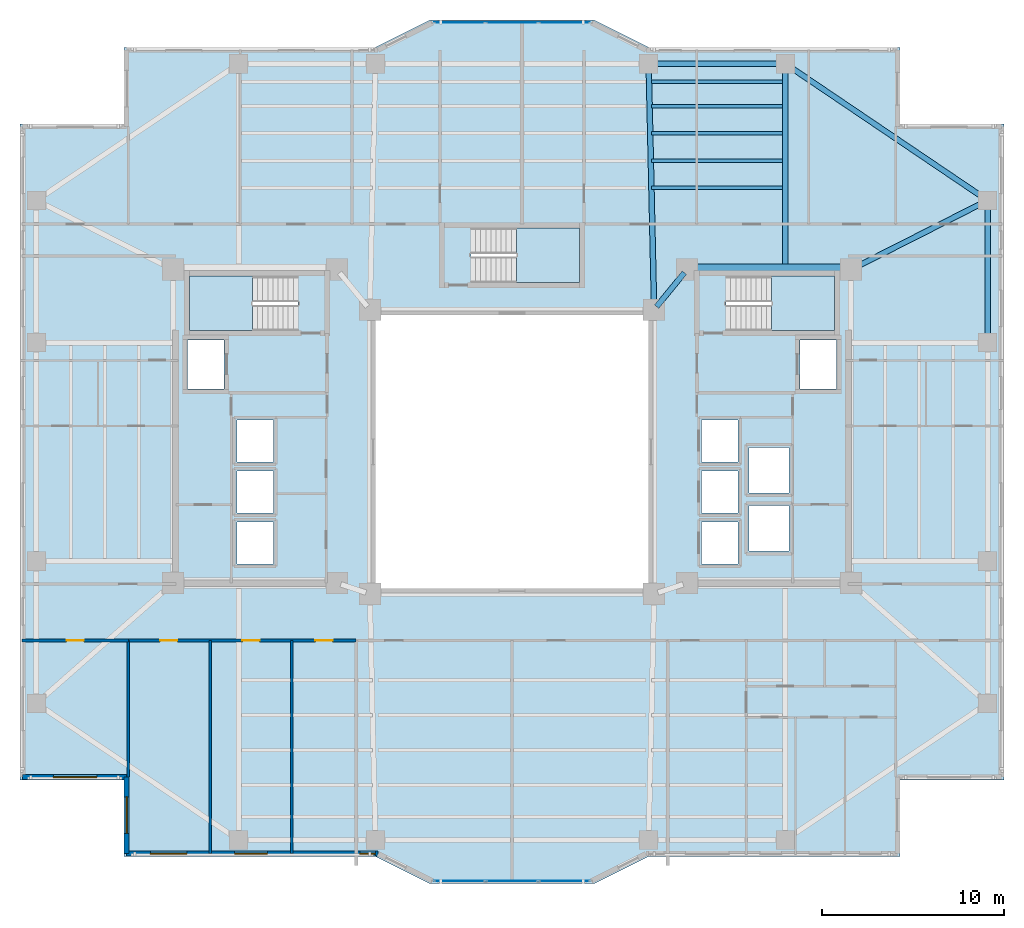
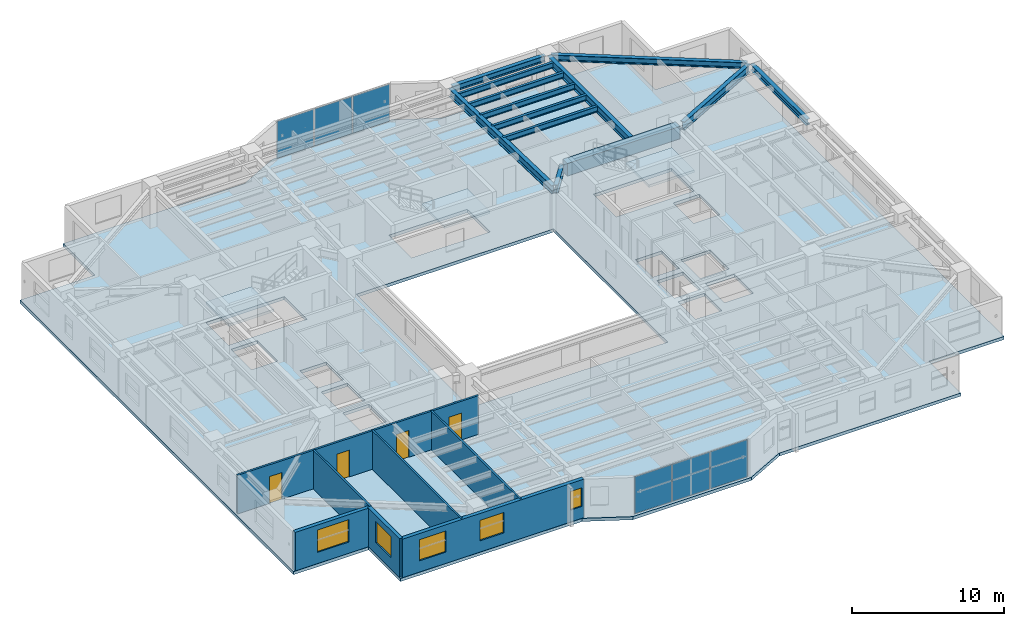
# One storey, part 5 of 18: 13 beams, 8 walls, 6 plates, 5 windows, 4 doors, 4 slabs, 9 openings, 5 elements without a shape of their own.
"""IFC4 building model written with IfcOpenShell, lengths in metres."""

from ifc_helpers import new_model, si_unit, direction, frame, frame_2d, origin, origin_2d, place, context, subcontext, project, spatial, polyline, rectangle, i_section, outline, extrude, material, layer, layer_set, material_profile, profile_set, type_object, element, fill, aggregate, save


model = new_model("IFC4")

# Units and contexts
model_context = context("Model", 3, precision=1e-05, world=origin(), true_north=direction((0.0, 1.0)))
body_context = subcontext(model_context, "Body", "Model", "MODEL_VIEW")
ifc_project = project(units=[si_unit("LENGTHUNIT", "METRE"), si_unit("AREAUNIT", "SQUARE_METRE"), si_unit("VOLUMEUNIT", "CUBIC_METRE"), si_unit("PLANEANGLEUNIT", "RADIAN"), si_unit("MASSUNIT", "GRAM", prefix="KILO")], contexts=[model_context])

# Site, building, storey
site_placement = place(None, origin())
site = spatial("IfcSite", under=ifc_project, at=site_placement, CompositionType="ELEMENT")
building_placement = place(site_placement, origin())
building = spatial("IfcBuilding", under=site, at=building_placement, Name="Tarnavaz Court Tower", CompositionType="ELEMENT")
storey_placement = place(building_placement, frame((0.0, 0.0, 105.10009765625)))
storey = spatial("IfcBuildingStorey", under=building, at=storey_placement, Name="L28", CompositionType="ELEMENT", Elevation=105.10009765625)

# Beams
ifc_material_1 = material(Name="Concrete C60/75", Category="concrete")
ifc_material_profile_1 = material_profile(ifc_material_1, rectangle(XDim=0.60009765625, YDim=1.0, at=origin_2d()), Name="RC 600X1000")
ifc_profile_set_1 = profile_set([ifc_material_profile_1], Name="Concrete C60/75")
beam_type_1 = type_object("IfcBeamType", Name="BM-CB1000", PredefinedType="LINTEL", material=ifc_profile_set_1)
beam_1_placement = place(storey_placement, frame((18.3798828125, 10.0, 2.599853515625), z_axis=(-1.0, 0.0, 0.0), x_axis=(0.0, -1.0, 0.0)))
element("IfcBeam", 1, at=beam_1_placement, inside=storey, type_object=beam_type_1, Name="L28 Beam IN-CE-NO-CE-NI", PredefinedType="LINTEL", context=body_context, shape_type="SweptSolid", body=[
    extrude(rectangle(XDim=0.60009765625, YDim=1.0, at=origin_2d()), origin(), (0.0, 0.0, 1.0), 8.559814453125),
])
ifc_material_2 = material(Name="Steel S355", Category="steel")
ifc_material_profile_2 = material_profile(ifc_material_2, i_section(OverallWidth=0.300048828125, OverallDepth=0.64990234375, WebThickness=0.01611328125, FlangeThickness=0.031005859375, FilletRadius=0.027099609375, at=origin_2d()), Name="HEB 650")
ifc_profile_set_2 = profile_set([ifc_material_profile_2], Name="Steel S355")
beam_type_2 = type_object("IfcBeamType", Name="BM-G-HEB650", PredefinedType="USERDEFINED", material=ifc_profile_set_2)
beam_2_placement = place(storey_placement, frame((9.460693359375, 9.82958984375, 2.77490234375), z_axis=(-0.633282058357, -0.773921077735, 0.0), x_axis=(0.773921077735, -0.633282058357, 0.0)))
element("IfcBeam", 2, at=beam_2_placement, inside=storey, type_object=beam_type_2, Name="L28 Beam IN-CE-NI-IW-NE", ObjectType="GIRDER", PredefinedType="USERDEFINED", context=body_context, shape_type="SweptSolid", body=[
    extrude(i_section(OverallWidth=0.300048828125, OverallDepth=0.64990234375, WebThickness=0.01611328125, FlangeThickness=0.031005859375, FilletRadius=0.027099609375, at=origin_2d()), origin(), (0.0, 0.0, 1.0), 2.402587890625),
])
beam_3_placement = place(storey_placement, frame((7.795166015625, 8.02001953125, 2.77490234375), z_axis=(-0.022221303469, 0.99975307635, 0.0), x_axis=(-0.99975307635, -0.022221303469, 0.0)))
element("IfcBeam", 3, at=beam_3_placement, inside=storey, type_object=beam_type_2, Name="L28 Beam RG-03", ObjectType="GIRDER", PredefinedType="USERDEFINED", context=body_context, shape_type="SweptSolid", body=[
    extrude(i_section(OverallWidth=0.300048828125, OverallDepth=0.64990234375, WebThickness=0.01611328125, FlangeThickness=0.031005859375, FilletRadius=0.027099609375, at=origin_2d()), origin(), (0.0, 0.0, 1.0), 13.063232421875),
])
beam_4_placement = place(storey_placement, frame((15.0, 10.0400390625, 2.77490234375), z_axis=(0.0, 1.0, 0.0), x_axis=(-1.0, 0.0, 0.0)))
element("IfcBeam", 4, at=beam_4_placement, inside=storey, type_object=beam_type_2, Name="L28 Beam RG-04", ObjectType="GIRDER", PredefinedType="USERDEFINED", context=body_context, shape_type="SweptSolid", body=[
    extrude(i_section(OverallWidth=0.300048828125, OverallDepth=0.64990234375, WebThickness=0.01611328125, FlangeThickness=0.031005859375, FilletRadius=0.027099609375, at=origin_2d()), origin(), (0.0, 0.0, 1.0), 11.0400390625),
])
beam_5_placement = place(storey_placement, frame((18.796142578125, 10.099365234375, 2.77490234375), z_axis=(0.892030669981, 0.451974870776, 0.0), x_axis=(-0.451974870776, 0.892030669981, 0.0)))
element("IfcBeam", 5, at=beam_5_placement, inside=storey, type_object=beam_type_2, Name="L28 Beam RG-12", ObjectType="GIRDER", PredefinedType="USERDEFINED", context=body_context, shape_type="SweptSolid", body=[
    extrude(i_section(OverallWidth=0.300048828125, OverallDepth=0.64990234375, WebThickness=0.01611328125, FlangeThickness=0.031005859375, FilletRadius=0.027099609375, at=origin_2d()), origin(), (0.0, 0.0, 1.0), 7.968017578125),
])
ifc_material_profile_3 = material_profile(ifc_material_2, i_section(OverallWidth=0.18994140625, OverallDepth=0.449951171875, WebThickness=0.009521484375, FlangeThickness=0.0146484375, FilletRadius=0.02099609375, at=origin_2d()), Name="IPE 450")
ifc_profile_set_3 = profile_set([ifc_material_profile_3], Name="Steel S355")
beam_type_3 = type_object("IfcBeamType", Name="BM-J-IPE450", PredefinedType="JOIST", material=ifc_profile_set_3)
for number, where, z_axis, x_axis, name in (
    (6, (7.64990234375, 14.493896484375, 2.875), (1.0, 0.0, 0.0), (0.0, 1.0, 0.0), "L28 Beam JN1-3"),
    (7, (7.64990234375, 15.988037109375, 2.875), (1.0, 0.0, 0.0), (0.0, 1.0, 0.0), "L28 Beam JN2-3"),
    (8, (7.64990234375, 17.48193359375, 2.875), (1.0, 0.0, 0.0), (0.0, 1.0, 0.0), "L28 Beam JN3-3"),
    (9, (7.64990234375, 18.97607421875, 2.875), (1.0, 0.0, 0.0), (0.0, 1.0, 0.0), "L28 Beam JN4-3"),
    (10, (7.64990234375, 20.303955078125, 2.875), (1.0, 0.0, 0.0), (0.0, 1.0, 0.0), "L28 Beam JN5-3"),
):
    element("IfcBeam", number, at=place(storey_placement, frame(where, z_axis=z_axis, x_axis=x_axis)), inside=storey, type_object=beam_type_3, Name=name, PredefinedType="JOIST", context=body_context, shape_type="SweptSolid", body=[
        extrude(i_section(OverallWidth=0.18994140625, OverallDepth=0.449951171875, WebThickness=0.009521484375, FlangeThickness=0.0146484375, FilletRadius=0.02099609375, at=origin_2d()), origin(), (0.0, 0.0, 1.0), 7.2001953125),
    ])
ifc_material_profile_4 = material_profile(ifc_material_2, i_section(OverallWidth=0.300048828125, OverallDepth=0.489990234375, WebThickness=0.011962890625, FlangeThickness=0.02294921875, FilletRadius=0.027099609375, at=origin_2d()), Name="HEA 500")
ifc_profile_set_4 = profile_set([ifc_material_profile_4], Name="Steel S355")
beam_type_4 = type_object("IfcBeamType", Name="BM-SP-HEA500", PredefinedType="SPANDREL", material=ifc_profile_set_4)
beam_6_placement = place(storey_placement, frame((7.719970703125, 21.300048828125, 2.85498046875), z_axis=(1.0, 0.0, 0.0), x_axis=(0.0, 1.0, 0.0)))
element("IfcBeam", 11, at=beam_6_placement, inside=storey, type_object=beam_type_4, Name="L28 Beam PR-PN-3-PN-4", PredefinedType="SPANDREL", context=body_context, shape_type="SweptSolid", body=[
    extrude(i_section(OverallWidth=0.300048828125, OverallDepth=0.489990234375, WebThickness=0.011962890625, FlangeThickness=0.02294921875, FilletRadius=0.027099609375, at=origin_2d()), origin(), (0.0, 0.0, 1.0), 7.06005859375),
])
beam_7_placement = place(storey_placement, frame((26.10009765625, 6.219970703125, 2.85498046875), z_axis=(0.0, 1.0, 0.0), x_axis=(-1.0, 0.0, 0.0)))
element("IfcBeam", 12, at=beam_7_placement, inside=storey, type_object=beam_type_4, Name="L28 Beam PR-PE-3-PE-4", PredefinedType="SPANDREL", context=body_context, shape_type="SweptSolid", body=[
    extrude(i_section(OverallWidth=0.300048828125, OverallDepth=0.489990234375, WebThickness=0.011962890625, FlangeThickness=0.02294921875, FilletRadius=0.027099609375, at=origin_2d()), origin(), (0.0, 0.0, 1.0), 7.360107421875),
])
beam_8_placement = place(storey_placement, frame((15.182373046875, 21.1767578125, 2.85498046875), z_axis=(0.828587314918, -0.559859858854, 0.0), x_axis=(0.559859858854, 0.828587314918, 0.0)))
element("IfcBeam", 13, at=beam_8_placement, inside=storey, type_object=beam_type_4, Name="L28 Beam PR-PN-4-PE-4", PredefinedType="SPANDREL", context=body_context, shape_type="SweptSolid", body=[
    extrude(i_section(OverallWidth=0.300048828125, OverallDepth=0.489990234375, WebThickness=0.011962890625, FlangeThickness=0.02294921875, FilletRadius=0.027099609375, at=origin_2d()), origin(), (0.0, 0.0, 1.0), 12.956298828125),
])

# Curtain wall, plates
ifc_material_3 = material(Name="Anodised Aluminium 6063-T6 and Solar Low-E Glazing", Category="aluminium")
ifc_layer_1 = layer(ifc_material_3, 0.179931640625)
ifc_layer_set_1 = layer_set([ifc_layer_1], Name="Anodised Aluminium 6063-T6 and Solar Low-E Glazing")
curtain_wall_type = type_object("IfcCurtainWallType", Name="CW-SYS-02", PredefinedType="NOTDEFINED", material=ifc_layer_set_1)
curtain_wall_1_placement = place(storey_placement, origin())
curtain_wall_1 = element("IfcCurtainWall", 14, at=curtain_wall_1_placement, inside=storey, type_object=curtain_wall_type, Name="L28 Iwan Prow Curtain Wall 7", PredefinedType="NOTDEFINED")
ifc_material_4 = material(Name="Double-Glazed Solar Low-E Glass", Category="glass")
ifc_layer_2 = layer(ifc_material_4, 0.028076171875)
ifc_layer_set_2 = layer_set([ifc_layer_2], Name="Double-Glazed Solar Low-E Glass")
plate_type = type_object("IfcPlateType", Name="CW-PAN-GLZ28", PredefinedType="CURTAIN_PANEL", material=ifc_layer_set_2)
plate_1_placement = place(storey_placement, frame((-2.88134765625, 23.550048828125, 0.06494140625), z_axis=(0.0, 0.0, 1.0), x_axis=(1.0, 0.0, 0.0)))
plate_1 = element("IfcPlate", 15, at=plate_1_placement, type_object=plate_type, Name="CW panel 1.1", PredefinedType="CURTAIN_PANEL", context=body_context, shape_type="SweptSolid", body=[
    extrude(rectangle(XDim=2.78759765625, YDim=0.028076171875, at=origin_2d()), origin(), (0.0, 0.0, 1.0), 2.969970703125),
])
plate_2_placement = place(storey_placement, frame((0.0, 23.550048828125, 0.06494140625), z_axis=(0.0, 0.0, 1.0), x_axis=(1.0, 0.0, 0.0)))
plate_2 = element("IfcPlate", 16, at=plate_2_placement, type_object=plate_type, Name="CW panel 2.1", PredefinedType="CURTAIN_PANEL", context=body_context, shape_type="SweptSolid", body=[
    extrude(rectangle(XDim=2.824951171875, YDim=0.028076171875, at=origin_2d()), origin(), (0.0, 0.0, 1.0), 2.969970703125),
])
plate_3_placement = place(storey_placement, frame((2.88134765625, 23.550048828125, 0.06494140625), z_axis=(0.0, 0.0, 1.0), x_axis=(1.0, 0.0, 0.0)))
plate_3 = element("IfcPlate", 17, at=plate_3_placement, type_object=plate_type, Name="CW panel 3.1", PredefinedType="CURTAIN_PANEL", context=body_context, shape_type="SweptSolid", body=[
    extrude(rectangle(XDim=2.78759765625, YDim=0.028076171875, at=origin_2d()), origin(), (0.0, 0.0, 1.0), 2.969970703125),
])
aggregate(curtain_wall_1, [plate_1, plate_2, plate_3])

curtain_wall_2_placement = place(storey_placement, origin())
curtain_wall_2 = element("IfcCurtainWall", 18, at=curtain_wall_2_placement, inside=storey, type_object=curtain_wall_type, Name="L28 Iwan Prow Curtain Wall 17", PredefinedType="NOTDEFINED")
plate_4_placement = place(storey_placement, frame((2.88134765625, -23.550048828125, 0.06494140625), z_axis=(0.0, 0.0, 1.0), x_axis=(-1.0, 0.0, 0.0)))
plate_4 = element("IfcPlate", 19, at=plate_4_placement, type_object=plate_type, Name="CW panel 1.1", PredefinedType="CURTAIN_PANEL", context=body_context, shape_type="SweptSolid", body=[
    extrude(rectangle(XDim=2.78759765625, YDim=0.028076171875, at=origin_2d()), origin(), (0.0, 0.0, 1.0), 2.969970703125),
])
plate_5_placement = place(storey_placement, frame((0.0, -23.550048828125, 0.06494140625), z_axis=(0.0, 0.0, 1.0), x_axis=(-1.0, 0.0, 0.0)))
plate_5 = element("IfcPlate", 20, at=plate_5_placement, type_object=plate_type, Name="CW panel 2.1", PredefinedType="CURTAIN_PANEL", context=body_context, shape_type="SweptSolid", body=[
    extrude(rectangle(XDim=2.824951171875, YDim=0.028076171875, at=origin_2d()), origin(), (0.0, 0.0, 1.0), 2.969970703125),
])
plate_6_placement = place(storey_placement, frame((-2.88134765625, -23.550048828125, 0.06494140625), z_axis=(0.0, 0.0, 1.0), x_axis=(-1.0, 0.0, 0.0)))
plate_6 = element("IfcPlate", 21, at=plate_6_placement, type_object=plate_type, Name="CW panel 3.1", PredefinedType="CURTAIN_PANEL", context=body_context, shape_type="SweptSolid", body=[
    extrude(rectangle(XDim=2.78759765625, YDim=0.028076171875, at=origin_2d()), origin(), (0.0, 0.0, 1.0), 2.969970703125),
])
aggregate(curtain_wall_2, [plate_4, plate_5, plate_6])

# Stair, slab
ifc_material_5 = material(Name="Concrete C40/50", Category="concrete")
stair_type = type_object("IfcStairType", Name="ST-TWR-20R", PredefinedType="HALF_TURN_STAIR", material=ifc_material_5)
stair_1_placement = place(storey_placement, origin())
stair_1 = element("IfcStair", 22, at=stair_1_placement, inside=storey, type_object=stair_type, Name="L28 West Core Pressurized Exit Stair ST-W1", PredefinedType="HALF_TURN_STAIR")
ifc_layer_3 = layer(ifc_material_5, 0.199951171875)
ifc_layer_set_3 = layer_set([ifc_layer_3], Name="Concrete C40/50")
slab_type_1 = type_object("IfcSlabType", Name="SL-LAND-200", PredefinedType="LANDING", material=ifc_layer_set_3)
slab_1_placement = place(storey_placement, frame((0.0, 0.0, 1.474853515625)))
slab_1 = element("IfcSlab", 23, at=slab_1_placement, type_object=slab_type_1, Name="ST-W1 landing 1", PredefinedType="LANDING", context=body_context, shape_type="SweptSolid", body=[
    extrude(outline(polyline([(-14.239990234375, 9.639892578125), (-17.699951171875, 9.639892578125), (-17.699951171875, 6.64990234375), (-14.239990234375, 6.64990234375), (-14.239990234375, 9.639892578125)])), origin(), (0.0, 0.0, 1.0), 0.199951171875),
])
aggregate(stair_1, [slab_1])

stair_2_placement = place(storey_placement, origin())
stair_2 = element("IfcStair", 24, at=stair_2_placement, inside=storey, type_object=stair_type, Name="L28 East Core Pressurized Exit Stair ST-E1", PredefinedType="HALF_TURN_STAIR")
slab_2_placement = place(storey_placement, frame((0.0, 0.0, 1.474853515625)))
slab_2 = element("IfcSlab", 25, at=slab_2_placement, type_object=slab_type_1, Name="ST-E1 landing 1", PredefinedType="LANDING", context=body_context, shape_type="SweptSolid", body=[
    extrude(outline(polyline([(14.239990234375, 6.64990234375), (17.699951171875, 6.64990234375), (17.699951171875, 9.639892578125), (14.239990234375, 9.639892578125), (14.239990234375, 6.64990234375)])), origin(), (0.0, 0.0, 1.0), 0.199951171875),
])
aggregate(stair_2, [slab_2])

stair_3_placement = place(storey_placement, origin())
stair_3 = element("IfcStair", 26, at=stair_3_placement, inside=storey, type_object=stair_type, Name="L28 North Ring Pressurized Exit Stair ST-N1", PredefinedType="HALF_TURN_STAIR")
slab_3_placement = place(storey_placement, frame((0.0, 0.0, 1.474853515625)))
slab_3 = element("IfcSlab", 27, at=slab_3_placement, type_object=slab_type_1, Name="ST-N1 landing 1", PredefinedType="LANDING", context=body_context, shape_type="SweptSolid", body=[
    extrude(outline(polyline([(0.239990234375, 9.300048828125), (3.699951171875, 9.300048828125), (3.699951171875, 12.2900390625), (0.239990234375, 12.2900390625), (0.239990234375, 9.300048828125)])), origin(), (0.0, 0.0, 1.0), 0.199951171875),
])
aggregate(stair_3, [slab_3])

# Slab
ifc_layer_4 = layer(ifc_material_5, 0.25)
ifc_layer_set_4 = layer_set([ifc_layer_4], Name="Concrete C40/50")
slab_type_2 = type_object("IfcSlabType", Name="SL-RES-250", PredefinedType="FLOOR", material=ifc_layer_set_4)
slab_4_placement = place(storey_placement, frame((0.0, 0.0, -0.25)))
element("IfcSlab", 28, at=slab_4_placement, inside=storey, type_object=slab_type_2, Name="L28 Structural Floor Slab", PredefinedType="FLOOR", context=body_context, shape_type="SweptSolid", body=[
    extrude(outline(polyline([(-21.300048828125, -22.199951171875), (-7.5, -22.199951171875), (-4.5, -23.699951171875), (4.5, -23.699951171875), (7.5, -22.199951171875), (21.300048828125, -22.199951171875), (21.300048828125, -18.0), (27.0, -18.0), (27.0, 18.0), (21.300048828125, 18.0), (21.300048828125, 22.199951171875), (7.5, 22.199951171875), (4.5, 23.699951171875), (-4.5, 23.699951171875), (-7.5, 22.199951171875), (-21.300048828125, 22.199951171875), (-21.300048828125, 18.0), (-27.0, 18.0), (-27.0, -18.0), (-21.300048828125, -18.0), (-21.300048828125, -22.199951171875)]), holes=[polyline([(-7.5, -7.5), (7.5, -7.5), (7.5, 7.5), (-7.5, 7.5), (-7.5, -7.5)]), polyline([(-11.7451171875, 9.639892578125), (-17.699951171875, 9.639892578125), (-17.699951171875, 6.64990234375), (-11.7451171875, 6.64990234375), (-11.7451171875, 9.639892578125)]), polyline([(11.7451171875, 6.64990234375), (17.699951171875, 6.64990234375), (17.699951171875, 9.639892578125), (11.7451171875, 9.639892578125), (11.7451171875, 6.64990234375)]), polyline([(-2.2548828125, 9.300048828125), (3.699951171875, 9.300048828125), (3.699951171875, 12.2900390625), (-2.2548828125, 12.2900390625), (-2.2548828125, 9.300048828125)]), polyline([(-17.800048828125, 3.449951171875), (-15.800048828125, 3.449951171875), (-15.800048828125, 6.14990234375), (-17.800048828125, 6.14990234375), (-17.800048828125, 3.449951171875)]), polyline([(-15.10009765625, -6.14990234375), (-13.10009765625, -6.14990234375), (-13.10009765625, -3.85009765625), (-15.10009765625, -3.85009765625), (-15.10009765625, -6.14990234375)]), polyline([(-15.10009765625, -3.35009765625), (-13.10009765625, -3.35009765625), (-13.10009765625, -1.050048828125), (-15.10009765625, -1.050048828125), (-15.10009765625, -3.35009765625)]), polyline([(-15.10009765625, -0.550048828125), (-13.10009765625, -0.550048828125), (-13.10009765625, 1.75), (-15.10009765625, 1.75), (-15.10009765625, -0.550048828125)]), polyline([(15.800048828125, 3.449951171875), (17.800048828125, 3.449951171875), (17.800048828125, 6.14990234375), (15.800048828125, 6.14990234375), (15.800048828125, 3.449951171875)]), polyline([(10.39990234375, -6.14990234375), (12.39990234375, -6.14990234375), (12.39990234375, -3.85009765625), (10.39990234375, -3.85009765625), (10.39990234375, -6.14990234375)]), polyline([(10.39990234375, -3.35009765625), (12.39990234375, -3.35009765625), (12.39990234375, -1.050048828125), (10.39990234375, -1.050048828125), (10.39990234375, -3.35009765625)]), polyline([(10.39990234375, -0.550048828125), (12.39990234375, -0.550048828125), (12.39990234375, 1.75), (10.39990234375, 1.75), (10.39990234375, -0.550048828125)]), polyline([(13.0, -5.449951171875), (15.199951171875, -5.449951171875), (15.199951171875, -2.949951171875), (13.0, -2.949951171875), (13.0, -5.449951171875)]), polyline([(13.0, -2.25), (15.199951171875, -2.25), (15.199951171875, 0.25), (13.0, 0.25), (13.0, -2.25)])]), origin(), (0.0, 0.0, 1.0), 0.25),
])

# Wall, opening, window
ifc_material_6 = material(Name="Precast Concrete C40/50", Category="concrete")
ifc_layer_5 = layer(ifc_material_6, 0.280029296875)
ifc_layer_set_5 = layer_set([ifc_layer_5], Name="Precast Concrete C40/50")
wall_type_1 = type_object("IfcWallType", Name="WL-EXT-280", PredefinedType="SOLIDWALL", material=ifc_layer_set_5)
wall_1_placement = place(storey_placement, frame((-21.14990234375, -17.85009765625, 0.0), z_axis=(0.0, 0.0, 1.0), x_axis=(-1.0, 0.0, 0.0)))
wall_1 = element("IfcWall", 29, at=wall_1_placement, inside=storey, type_object=wall_type_1, Name="L28 Exterior Terracotta Facade Wall 01", PredefinedType="SOLIDWALL", context=body_context, shape_type="SweptSolid", body=[
    extrude(rectangle(XDim=5.7001953125, YDim=0.280029296875, at=frame_2d((2.85009765625, 0.0))), origin(), (0.0, 0.0, 1.0), 3.099853515625),
])
opening_1_placement = place(wall_1_placement, frame((1.625, 0.0, 0.89990234375)))
opening_1 = element("IfcOpeningElement", 30, at=opening_1_placement, cuts=wall_1, Name="Opening W06", PredefinedType="OPENING", context=body_context, shape_type="SweptSolid", body=[
    extrude(rectangle(XDim=2.39990234375, YDim=1.800048828125, at=frame_2d((1.199951171875, 0.89990234375))), frame((0.0, 0.14990234375, 0.0), z_axis=(0.0, -1.0, 0.0), x_axis=(1.0, 0.0, 0.0)), (0.0, 0.0, 1.0), 0.300048828125),
])
window_type_1 = type_object("IfcWindowType", Name="WN-APT-2400", PartitioningType="TRIPLE_PANEL_VERTICAL", PredefinedType="WINDOW", material=ifc_material_4)
window_1_placement = place(opening_1_placement, origin())
window_1 = element("IfcWindow", 31, at=window_1_placement, inside=storey, type_object=window_type_1, Name="L28 South-West Corner Reading Room Window", OverallHeight=1.800048828125, OverallWidth=2.39990234375, PartitioningType="SINGLE_PANEL", PredefinedType="WINDOW", context=body_context, shape_type="SweptSolid", body=[
    extrude(rectangle(XDim=2.39990234375, YDim=1.800048828125, at=frame_2d((1.199951171875, 0.89990234375))), frame((0.0, 0.030029296875, 0.0), z_axis=(0.0, -1.0, 0.0), x_axis=(1.0, 0.0, 0.0)), (0.0, 0.0, 1.0), 0.06005859375),
])
fill(opening_1, window_1)

# Wall, openings, windows
wall_2_placement = place(storey_placement, frame((-7.35009765625, -22.050048828125, 0.0), z_axis=(0.0, 0.0, 1.0), x_axis=(-1.0, 0.0, 0.0)))
wall_2 = element("IfcWall", 32, at=wall_2_placement, inside=storey, type_object=wall_type_1, Name="L28 Exterior Terracotta Facade Wall 19", PredefinedType="SOLIDWALL", context=body_context, shape_type="SweptSolid", body=[
    extrude(rectangle(XDim=13.7998046875, YDim=0.280029296875, at=frame_2d((6.89990234375, 0.0))), origin(), (0.0, 0.0, 1.0), 3.099853515625),
])
opening_2_placement = place(wall_2_placement, frame((0.14697265625, 0.0, 0.949951171875)))
opening_2 = element("IfcOpeningElement", 33, at=opening_2_placement, cuts=wall_2, Name="Opening W15", PredefinedType="OPENING", context=body_context, shape_type="SweptSolid", body=[
    extrude(rectangle(XDim=0.85009765625, YDim=1.5, at=frame_2d((0.425048828125, 0.75))), frame((0.0, 0.14990234375, 0.0), z_axis=(0.0, -1.0, 0.0), x_axis=(1.0, 0.0, 0.0)), (0.0, 0.0, 1.0), 0.300048828125),
])
opening_3_placement = place(wall_2_placement, frame((6.0751953125, 0.0, 0.89990234375)))
opening_3 = element("IfcOpeningElement", 34, at=opening_3_placement, cuts=wall_2, Name="Opening W01", PredefinedType="OPENING", context=body_context, shape_type="SweptSolid", body=[
    extrude(rectangle(XDim=1.800048828125, YDim=1.64990234375, at=frame_2d((0.89990234375, 0.824951171875))), frame((0.0, 0.14990234375, 0.0), z_axis=(0.0, -1.0, 0.0), x_axis=(1.0, 0.0, 0.0)), (0.0, 0.0, 1.0), 0.300048828125),
])
opening_4_placement = place(wall_2_placement, frame((10.49169921875, 0.0, 0.89990234375)))
opening_4 = element("IfcOpeningElement", 35, at=opening_4_placement, cuts=wall_2, Name="Opening W08", PredefinedType="OPENING", context=body_context, shape_type="SweptSolid", body=[
    extrude(rectangle(XDim=2.0, YDim=1.699951171875, at=frame_2d((1.0, 0.85009765625))), frame((0.0, 0.14990234375, 0.0), z_axis=(0.0, -1.0, 0.0), x_axis=(1.0, 0.0, 0.0)), (0.0, 0.0, 1.0), 0.300048828125),
])
window_type_2 = type_object("IfcWindowType", Name="WN-APT-1800", PartitioningType="DOUBLE_PANEL_VERTICAL", PredefinedType="WINDOW", material=ifc_material_4)
window_2_placement = place(opening_3_placement, origin())
window_2 = element("IfcWindow", 36, at=window_2_placement, inside=storey, type_object=window_type_2, Name="L28 Craft and Maker Workshop Room Window", OverallHeight=1.64990234375, OverallWidth=1.800048828125, PartitioningType="SINGLE_PANEL", PredefinedType="WINDOW", context=body_context, shape_type="SweptSolid", body=[
    extrude(rectangle(XDim=1.800048828125, YDim=1.64990234375, at=frame_2d((0.89990234375, 0.824951171875))), frame((0.0, 0.030029296875, 0.0), z_axis=(0.0, -1.0, 0.0), x_axis=(1.0, 0.0, 0.0)), (0.0, 0.0, 1.0), 0.06005859375),
])
fill(opening_3, window_2)
window_type_3 = type_object("IfcWindowType", Name="WN-APT-2000", PartitioningType="DOUBLE_PANEL_VERTICAL", PredefinedType="WINDOW", material=ifc_material_4)
window_3_placement = place(opening_4_placement, origin())
window_3 = element("IfcWindow", 37, at=window_3_placement, inside=storey, type_object=window_type_3, Name="L28 Resident Community Meeting Room Window", OverallHeight=1.699951171875, OverallWidth=2.0, PartitioningType="SINGLE_PANEL", PredefinedType="WINDOW", context=body_context, shape_type="SweptSolid", body=[
    extrude(rectangle(XDim=2.0, YDim=1.699951171875, at=frame_2d((1.0, 0.85009765625))), frame((0.0, 0.030029296875, 0.0), z_axis=(0.0, -1.0, 0.0), x_axis=(1.0, 0.0, 0.0)), (0.0, 0.0, 1.0), 0.06005859375),
])
fill(opening_4, window_3)
window_type_4 = type_object("IfcWindowType", Name="WN-APT-850", PartitioningType="SINGLE_PANEL", PredefinedType="WINDOW", material=ifc_material_4)
window_4_placement = place(opening_2_placement, origin())
window_4 = element("IfcWindow", 38, at=window_4_placement, inside=storey, type_object=window_type_4, Name="L28 South Courtyard Majlis Lounge Window", OverallHeight=1.5, OverallWidth=0.85009765625, PartitioningType="SINGLE_PANEL", PredefinedType="WINDOW", context=body_context, shape_type="SweptSolid", body=[
    extrude(rectangle(XDim=0.85009765625, YDim=1.5, at=frame_2d((0.425048828125, 0.75))), frame((0.0, 0.030029296875, 0.0), z_axis=(0.0, -1.0, 0.0), x_axis=(1.0, 0.0, 0.0)), (0.0, 0.0, 1.0), 0.06005859375),
])
fill(opening_2, window_4)

# Wall, opening, window
wall_3_placement = place(storey_placement, frame((-21.14990234375, -22.050048828125, 0.0), z_axis=(0.0, 0.0, 1.0), x_axis=(0.0, 1.0, 0.0)))
wall_3 = element("IfcWall", 39, at=wall_3_placement, inside=storey, type_object=wall_type_1, Name="L28 Exterior Terracotta Facade Wall 20", PredefinedType="SOLIDWALL", context=body_context, shape_type="SweptSolid", body=[
    extrude(rectangle(XDim=4.199951171875, YDim=0.280029296875, at=frame_2d((2.10009765625, 0.0))), origin(), (0.0, 0.0, 1.0), 3.099853515625),
])
opening_5_placement = place(wall_3_placement, frame((1.117919921875, 0.0, 0.89990234375)))
opening_5 = element("IfcOpeningElement", 40, at=opening_5_placement, cuts=wall_3, Name="Opening W08", PredefinedType="OPENING", context=body_context, shape_type="SweptSolid", body=[
    extrude(rectangle(XDim=2.0, YDim=1.699951171875, at=frame_2d((1.0, 0.85009765625))), frame((0.0, 0.14990234375, 0.0), z_axis=(0.0, -1.0, 0.0), x_axis=(1.0, 0.0, 0.0)), (0.0, 0.0, 1.0), 0.300048828125),
])
window_5_placement = place(opening_5_placement, origin())
window_5 = element("IfcWindow", 41, at=window_5_placement, inside=storey, type_object=window_type_3, Name="L28 Resident Community Meeting Room Window", OverallHeight=1.699951171875, OverallWidth=2.0, PartitioningType="SINGLE_PANEL", PredefinedType="WINDOW", context=body_context, shape_type="SweptSolid", body=[
    extrude(rectangle(XDim=2.0, YDim=1.699951171875, at=frame_2d((1.0, 0.85009765625))), frame((0.0, 0.030029296875, 0.0), z_axis=(0.0, -1.0, 0.0), x_axis=(1.0, 0.0, 0.0)), (0.0, 0.0, 1.0), 0.06005859375),
])
fill(opening_5, window_5)

# Wall, openings, doors
ifc_material_7 = material(Name="Gypsum Fire-Board on Acoustic Metal Stud", Category="masonry")
ifc_layer_6 = layer(ifc_material_7, 0.14990234375)
ifc_layer_set_6 = layer_set([ifc_layer_6], Name="Gypsum Fire-Board on Acoustic Metal Stud")
wall_type_2 = type_object("IfcWallType", Name="WL-FIRE-150", PredefinedType="PARTITIONING", material=ifc_layer_set_6)
wall_4_placement = place(storey_placement, frame((-21.050048828125, -10.35009765625, 0.0), z_axis=(0.0, 0.0, 1.0), x_axis=(1.0, 0.0, 0.0)))
wall_4 = element("IfcWall", 42, at=wall_4_placement, inside=storey, type_object=wall_type_2, Name="L28 SW Horseshoe Wall 073", PredefinedType="PARTITIONING", context=body_context, shape_type="SweptSolid", body=[
    extrude(rectangle(XDim=12.5, YDim=0.14990234375, at=frame_2d((6.25, 0.0))), origin(), (0.0, 0.0, 1.0), 3.099853515625),
])
opening_6_placement = place(wall_4_placement, frame((1.736083984375, 0.0, 0.0)))
opening_6 = element("IfcOpeningElement", 43, at=opening_6_placement, cuts=wall_4, Name="Opening D13", PredefinedType="OPENING", context=body_context, shape_type="SweptSolid", body=[
    extrude(rectangle(XDim=0.949951171875, YDim=2.14990234375, at=frame_2d((0.47509765625, 1.074951171875))), frame((0.0, 0.0849609375, 0.0), z_axis=(0.0, -1.0, 0.0), x_axis=(1.0, 0.0, 0.0)), (0.0, 0.0, 1.0), 0.169921875),
])
opening_7_placement = place(wall_4_placement, frame((6.248046875, 0.0, 0.0)))
opening_7 = element("IfcOpeningElement", 44, at=opening_7_placement, cuts=wall_4, Name="Opening D13", PredefinedType="OPENING", context=body_context, shape_type="SweptSolid", body=[
    extrude(rectangle(XDim=0.949951171875, YDim=2.14990234375, at=frame_2d((0.47509765625, 1.074951171875))), frame((0.0, 0.0849609375, 0.0), z_axis=(0.0, -1.0, 0.0), x_axis=(1.0, 0.0, 0.0)), (0.0, 0.0, 1.0), 0.169921875),
])
opening_8_placement = place(wall_4_placement, frame((10.261962890625, 0.0, 0.0)))
opening_8 = element("IfcOpeningElement", 45, at=opening_8_placement, cuts=wall_4, Name="Opening D13", PredefinedType="OPENING", context=body_context, shape_type="SweptSolid", body=[
    extrude(rectangle(XDim=0.949951171875, YDim=2.14990234375, at=frame_2d((0.47509765625, 1.074951171875))), frame((0.0, 0.0849609375, 0.0), z_axis=(0.0, -1.0, 0.0), x_axis=(1.0, 0.0, 0.0)), (0.0, 0.0, 1.0), 0.169921875),
])
ifc_material_8 = material(Name="Engineered Oak Timber", Category="wood")
door_type = type_object("IfcDoorType", Name="DR-INT-950", OperationType="NOTDEFINED", PredefinedType="DOOR", material=ifc_material_8)
door_1_placement = place(opening_6_placement, origin())
door_1 = element("IfcDoor", 46, at=door_1_placement, inside=storey, type_object=door_type, Name="L28 Resident Community Meeting Room Door", OperationType="SINGLE_SWING_LEFT", OverallHeight=2.14990234375, OverallWidth=0.949951171875, PredefinedType="DOOR", context=body_context, shape_type="SweptSolid", body=[
    extrude(rectangle(XDim=0.949951171875, YDim=2.14990234375, at=frame_2d((0.47509765625, 1.074951171875))), frame((0.0, 0.02490234375, 0.0), z_axis=(0.0, -1.0, 0.0), x_axis=(1.0, 0.0, 0.0)), (0.0, 0.0, 1.0), 0.050048828125),
])
fill(opening_6, door_1)
door_2_placement = place(opening_7_placement, origin())
door_2 = element("IfcDoor", 47, at=door_2_placement, inside=storey, type_object=door_type, Name="L28 Craft and Maker Workshop Room Door", OperationType="SINGLE_SWING_RIGHT", OverallHeight=2.14990234375, OverallWidth=0.949951171875, PredefinedType="DOOR", context=body_context, shape_type="SweptSolid", body=[
    extrude(rectangle(XDim=0.949951171875, YDim=2.14990234375, at=frame_2d((0.47509765625, 1.074951171875))), frame((0.0, 0.02490234375, 0.0), z_axis=(0.0, -1.0, 0.0), x_axis=(1.0, 0.0, 0.0)), (0.0, 0.0, 1.0), 0.050048828125),
])
fill(opening_7, door_2)
door_3_placement = place(opening_8_placement, origin())
door_3 = element("IfcDoor", 48, at=door_3_placement, inside=storey, type_object=door_type, Name="L28 Accessible Washroom WC Door", OperationType="SINGLE_SWING_LEFT", OverallHeight=2.14990234375, OverallWidth=0.949951171875, PredefinedType="DOOR", context=body_context, shape_type="SweptSolid", body=[
    extrude(rectangle(XDim=0.949951171875, YDim=2.14990234375, at=frame_2d((0.47509765625, 1.074951171875))), frame((0.0, 0.02490234375, 0.0), z_axis=(0.0, -1.0, 0.0), x_axis=(1.0, 0.0, 0.0)), (0.0, 0.0, 1.0), 0.050048828125),
])
fill(opening_8, door_3)

# Wall, opening, door
wall_5_placement = place(storey_placement, frame((-26.8798828125, -10.35009765625, 0.0), z_axis=(0.0, 0.0, 1.0), x_axis=(1.0, 0.0, 0.0)))
wall_5 = element("IfcWall", 49, at=wall_5_placement, inside=storey, type_object=wall_type_2, Name="L28 Interior Partition 105", PredefinedType="PARTITIONING", context=body_context, shape_type="SweptSolid", body=[
    extrude(rectangle(XDim=5.829833984375, YDim=0.14990234375, at=frame_2d((2.9150390625, 0.0))), origin(), (0.0, 0.0, 1.0), 3.099853515625),
])
opening_9_placement = place(wall_5_placement, frame((2.43994140625, 0.0, 0.0)))
opening_9 = element("IfcOpeningElement", 50, at=opening_9_placement, cuts=wall_5, Name="Opening D13", PredefinedType="OPENING", context=body_context, shape_type="SweptSolid", body=[
    extrude(rectangle(XDim=0.949951171875, YDim=2.14990234375, at=frame_2d((0.47509765625, 1.074951171875))), frame((0.0, 0.0849609375, 0.0), z_axis=(0.0, -1.0, 0.0), x_axis=(1.0, 0.0, 0.0)), (0.0, 0.0, 1.0), 0.169921875),
])
door_4_placement = place(opening_9_placement, origin())
door_4 = element("IfcDoor", 51, at=door_4_placement, inside=storey, type_object=door_type, Name="L28 SW Reading Room Door", OperationType="SINGLE_SWING_LEFT", OverallHeight=2.14990234375, OverallWidth=0.949951171875, PredefinedType="DOOR", context=body_context, shape_type="SweptSolid", body=[
    extrude(rectangle(XDim=0.949951171875, YDim=2.14990234375, at=frame_2d((0.47509765625, 1.074951171875))), frame((0.0, 0.02490234375, 0.0), z_axis=(0.0, -1.0, 0.0), x_axis=(1.0, 0.0, 0.0)), (0.0, 0.0, 1.0), 0.050048828125),
])
fill(opening_9, door_4)

# Walls
ifc_material_9 = material(Name="Gypsum Plasterboard Acoustic Partition", Category="masonry")
ifc_layer_7 = layer(ifc_material_9, 0.139892578125)
ifc_layer_set_7 = layer_set([ifc_layer_7], Name="Gypsum Plasterboard Acoustic Partition")
wall_type_3 = type_object("IfcWallType", Name="WL-PART-150", PredefinedType="PARTITIONING", material=ifc_layer_set_7)
for number, where, z_axis, x_axis, name in (
    (52, (-16.568115234375, -22.050048828125, 0.0), (0.0, 0.0, 1.0), (0.0, 1.0, 0.0), "L28 Interior Partition 082"),
    (53, (-12.0859375, -22.050048828125, 0.0), (0.0, 0.0, 1.0), (0.0, 1.0, 0.0), "L28 Interior Partition 083"),
):
    element("IfcWall", number, at=place(storey_placement, frame(where, z_axis=z_axis, x_axis=x_axis)), inside=storey, type_object=wall_type_3, Name=name, PredefinedType="PARTITIONING", context=body_context, shape_type="SweptSolid", body=[
        extrude(rectangle(XDim=11.699951171875, YDim=0.139892578125, at=frame_2d((5.85009765625, 0.0))), origin(), (0.0, 0.0, 1.0), 3.099853515625),
    ])
wall_6_placement = place(storey_placement, frame((-21.050048828125, -17.85009765625, 0.0), z_axis=(0.0, 0.0, 1.0), x_axis=(0.0, 1.0, 0.0)))
element("IfcWall", 54, at=wall_6_placement, inside=storey, type_object=wall_type_3, Name="L28 Interior Partition 099", PredefinedType="PARTITIONING", context=body_context, shape_type="SweptSolid", body=[
    extrude(rectangle(XDim=7.5, YDim=0.139892578125, at=frame_2d((3.75, 0.0))), origin(), (0.0, 0.0, 1.0), 3.099853515625),
])

save(model, "model.ifc")
